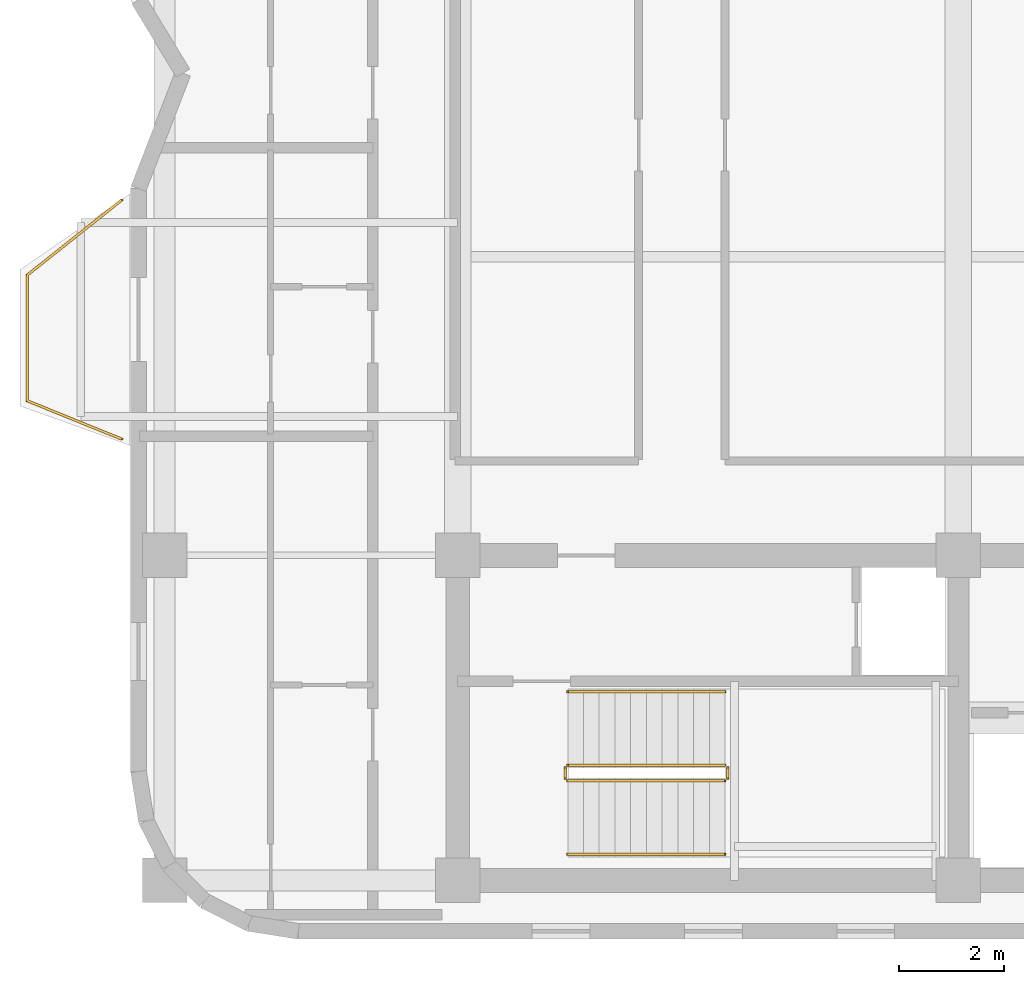
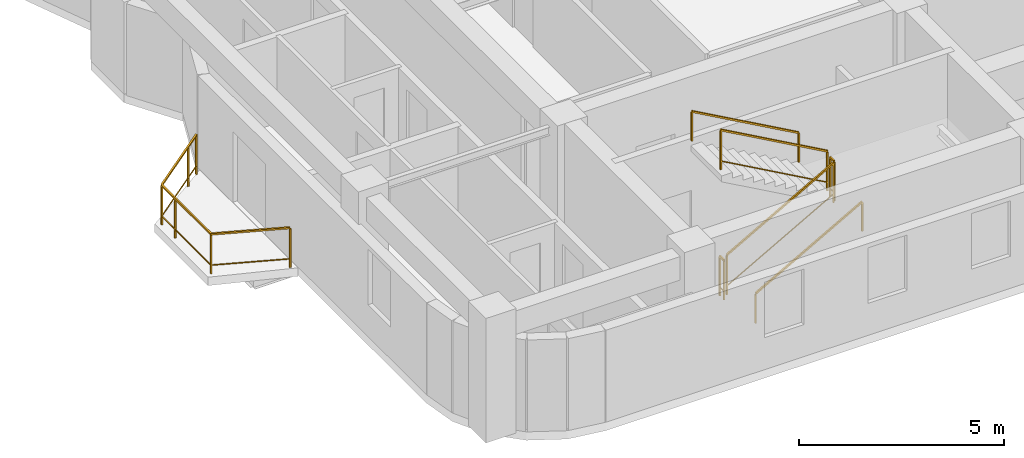
# One storey, part 7 of 8: 7 railings.
"""IFC4 building model written with IfcOpenShell, lengths in metres."""

from ifc_helpers import new_model, si_unit, direction, frame, origin, origin_2d, place, context, subcontext, project, spatial, rectangle, extrude, material, type_object, element, save


model = new_model("IFC4")

# Units and contexts
model_context = context("Model", 3, precision=1e-05, world=origin(), true_north=direction((0.0, 1.0)))
body_context = subcontext(model_context, "Body", "Model", "MODEL_VIEW")
ifc_project = project(units=[si_unit("LENGTHUNIT", "METRE"), si_unit("AREAUNIT", "SQUARE_METRE"), si_unit("VOLUMEUNIT", "CUBIC_METRE"), si_unit("PLANEANGLEUNIT", "RADIAN"), si_unit("MASSUNIT", "GRAM", prefix="KILO")], contexts=[model_context])

# Site, building, storey
site_placement = place(None, origin())
site = spatial("IfcSite", under=ifc_project, at=site_placement, CompositionType="ELEMENT")
building_placement = place(site_placement, origin())
building = spatial("IfcBuilding", under=site, at=building_placement, Name="Svetorya Sky Lyceum", CompositionType="ELEMENT")
storey_placement = place(building_placement, frame((0.0, 0.0, 233.199951171875)))
storey = spatial("IfcBuildingStorey", under=building, at=storey_placement, Name="L58", CompositionType="ELEMENT", Elevation=233.199951171875)

# Railings
ifc_material_1 = material(Name="Laminated safety glass and stainless AISI 316", Category="glass")
railing_type_1 = type_object("IfcRailingType", Name="RL-BAL-1200", PredefinedType="BALUSTRADE", material=ifc_material_1)
railing_1_placement = place(storey_placement, frame((19.18994140625, 19.02001953125, 0.0)))
element("IfcRailing", 1, at=railing_1_placement, inside=storey, type_object=railing_type_1, Name="L58 Balcony Balustrade BAL-W1", PredefinedType="BALUSTRADE", context=body_context, shape_type="SweptSolid", body=[
    extrude(rectangle(XDim=0.048095703125, YDim=0.048095703125, at=origin_2d()), frame((0.0, 0.0, 1.17578125), z_axis=(-0.926697865975, 0.375807218129, 0.0), x_axis=(-0.375807218129, -0.926697865975, 0.0)), (0.0, 0.0, 1.0), 1.9423828125),
    extrude(rectangle(XDim=0.02392578125, YDim=0.02392578125, at=origin_2d()), frame((0.0, 0.0, 0.25), z_axis=(-0.926697865975, 0.375807218129, 0.0), x_axis=(-0.375807218129, -0.926697865975, 0.0)), (0.0, 0.0, 1.0), 1.9423828125),
    extrude(rectangle(XDim=0.048095703125, YDim=0.048095703125, at=origin_2d()), frame((-1.800048828125, 0.72998046875, 1.17578125), z_axis=(0.0, 1.0, 0.0), x_axis=(-1.0, 0.0, 0.0)), (0.0, 0.0, 1.0), 2.39990234375),
    extrude(rectangle(XDim=0.02392578125, YDim=0.02392578125, at=origin_2d()), frame((-1.800048828125, 0.72998046875, 0.25), z_axis=(0.0, 1.0, 0.0), x_axis=(-1.0, 0.0, 0.0)), (0.0, 0.0, 1.0), 2.39990234375),
    extrude(rectangle(XDim=0.048095703125, YDim=0.048095703125, at=origin_2d()), frame((-1.800048828125, 3.1298828125, 1.17578125), z_axis=(0.782957196596, 0.622075580857, 0.0), x_axis=(-0.622075580857, 0.782957196596, 0.0)), (0.0, 0.0, 1.0), 2.299072265625),
    extrude(rectangle(XDim=0.02392578125, YDim=0.02392578125, at=origin_2d()), frame((-1.800048828125, 3.1298828125, 0.25), z_axis=(0.782957196596, 0.622075580857, 0.0), x_axis=(-0.622075580857, 0.782957196596, 0.0)), (0.0, 0.0, 1.0), 2.299072265625),
    extrude(rectangle(XDim=0.0419921875, YDim=0.0419921875, at=origin_2d()), origin(), (0.0, 0.0, 1.0), 1.15185546875),
    extrude(rectangle(XDim=0.0419921875, YDim=0.0419921875, at=origin_2d()), frame((-1.800048828125, 0.72998046875, 0.0)), (0.0, 0.0, 1.0), 1.15185546875),
    extrude(rectangle(XDim=0.0419921875, YDim=0.0419921875, at=origin_2d()), frame((-1.800048828125, 2.47998046875, 0.0)), (0.0, 0.0, 1.0), 1.15185546875),
    extrude(rectangle(XDim=0.0419921875, YDim=0.0419921875, at=origin_2d()), frame((-1.800048828125, 3.1298828125, 0.0)), (0.0, 0.0, 1.0), 1.15185546875),
    extrude(rectangle(XDim=0.0419921875, YDim=0.0419921875, at=origin_2d()), frame((-0.429931640625, 4.218505859375, 0.0)), (0.0, 0.0, 1.0), 1.15185546875),
    extrude(rectangle(XDim=0.0419921875, YDim=0.0419921875, at=origin_2d()), frame((0.0, 4.56005859375, 0.0)), (0.0, 0.0, 1.0), 1.15185546875),
])
ifc_material_2 = material(Name="Painted galvanized stair well guard")
railing_type_2 = type_object("IfcRailingType", Name="RL-STR-GUARD-1200", PredefinedType="GUARDRAIL", material=ifc_material_2)
railing_2_placement = place(storey_placement, frame((27.699951171875, 12.5, 0.168212890625)))
element("IfcRailing", 2, at=railing_2_placement, inside=storey, type_object=railing_type_2, Name="L58 ST-S stair guard 1", PredefinedType="GUARDRAIL", context=body_context, shape_type="SweptSolid", body=[
    extrude(rectangle(XDim=0.048095703125, YDim=0.048095703125, at=origin_2d()), frame((0.0, 0.0, 1.17578125), z_axis=(0.872272294576, 0.0, 0.489020494575), x_axis=(0.0, 1.0, 0.0)), (0.0, 0.0, 1.0), 3.439208984375),
    extrude(rectangle(XDim=0.02392578125, YDim=0.02392578125, at=origin_2d()), frame((0.0, 0.0, 0.25), z_axis=(0.872272294576, 0.0, 0.489020494575), x_axis=(0.0, 1.0, 0.0)), (0.0, 0.0, 1.0), 3.439208984375),
    extrude(rectangle(XDim=0.0419921875, YDim=0.0419921875, at=origin_2d()), origin(), (0.0, 0.0, 1.0), 1.15185546875),
    extrude(rectangle(XDim=0.0419921875, YDim=0.0419921875, at=origin_2d()), frame((3.0, 0.0, 1.681884765625)), (0.0, 0.0, 1.0), 1.15185546875),
])
railing_3_placement = place(storey_placement, frame((30.75, 12.550048828125, 1.85009765625)))
element("IfcRailing", 3, at=railing_3_placement, inside=storey, type_object=railing_type_2, Name="L58 ST-S stair guard 2", PredefinedType="GUARDRAIL", context=body_context, shape_type="SweptSolid", body=[
    extrude(rectangle(XDim=0.048095703125, YDim=0.048095703125, at=origin_2d()), frame((0.0, 0.0, 1.17578125), z_axis=(0.0, 1.0, 0.0), x_axis=(-1.0, 0.0, 0.0)), (0.0, 0.0, 1.0), 0.199951171875),
    extrude(rectangle(XDim=0.02392578125, YDim=0.02392578125, at=origin_2d()), frame((0.0, 0.0, 0.25), z_axis=(0.0, 1.0, 0.0), x_axis=(-1.0, 0.0, 0.0)), (0.0, 0.0, 1.0), 0.199951171875),
    extrude(rectangle(XDim=0.0419921875, YDim=0.0419921875, at=origin_2d()), origin(), (0.0, 0.0, 1.0), 1.15185546875),
    extrude(rectangle(XDim=0.0419921875, YDim=0.0419921875, at=origin_2d()), frame((0.0, 0.199951171875, 0.0)), (0.0, 0.0, 1.0), 1.15185546875),
])
railing_4_placement = place(storey_placement, frame((30.699951171875, 12.800048828125, 2.018310546875)))
element("IfcRailing", 4, at=railing_4_placement, inside=storey, type_object=railing_type_2, Name="L58 ST-S stair guard 3", PredefinedType="GUARDRAIL", context=body_context, shape_type="SweptSolid", body=[
    extrude(rectangle(XDim=0.048095703125, YDim=0.048095703125, at=origin_2d()), frame((0.0, 0.0, 1.17578125), z_axis=(-0.872302573547, 0.0, 0.488966481656), x_axis=(0.0, -1.0, 0.0)), (0.0, 0.0, 1.0), 3.439208984375),
    extrude(rectangle(XDim=0.02392578125, YDim=0.02392578125, at=origin_2d()), frame((0.0, 0.0, 0.25), z_axis=(-0.872302573547, 0.0, 0.488966481656), x_axis=(0.0, -1.0, 0.0)), (0.0, 0.0, 1.0), 3.439208984375),
    extrude(rectangle(XDim=0.0419921875, YDim=0.0419921875, at=origin_2d()), origin(), (0.0, 0.0, 1.0), 1.15185546875),
    extrude(rectangle(XDim=0.0419921875, YDim=0.0419921875, at=origin_2d()), frame((-3.0, 0.0, 1.681640625)), (0.0, 0.0, 1.0), 1.15185546875),
])
railing_5_placement = place(storey_placement, frame((27.64990234375, 12.550048828125, 0.0)))
element("IfcRailing", 5, at=railing_5_placement, inside=storey, type_object=railing_type_2, Name="L58 ST-S stair guard 4", PredefinedType="GUARDRAIL", context=body_context, shape_type="SweptSolid", body=[
    extrude(rectangle(XDim=0.048095703125, YDim=0.048095703125, at=origin_2d()), frame((0.0, 0.0, 1.17578125), z_axis=(0.0, 1.0, 0.0), x_axis=(-1.0, 0.0, 0.0)), (0.0, 0.0, 1.0), 0.199951171875),
    extrude(rectangle(XDim=0.02392578125, YDim=0.02392578125, at=origin_2d()), frame((0.0, 0.0, 0.25), z_axis=(0.0, 1.0, 0.0), x_axis=(-1.0, 0.0, 0.0)), (0.0, 0.0, 1.0), 0.199951171875),
    extrude(rectangle(XDim=0.0419921875, YDim=0.0419921875, at=origin_2d()), origin(), (0.0, 0.0, 1.0), 1.15185546875),
    extrude(rectangle(XDim=0.0419921875, YDim=0.0419921875, at=origin_2d()), frame((0.0, 0.199951171875, 0.0)), (0.0, 0.0, 1.0), 1.15185546875),
])
ifc_material_3 = material(Name="Brushed stainless AISI 304 stair handrail")
railing_type_3 = type_object("IfcRailingType", Name="RL-STR-HAND-920", PredefinedType="HANDRAIL", material=ifc_material_3)
railing_6_placement = place(storey_placement, frame((27.699951171875, 11.10009765625, 0.168212890625)))
element("IfcRailing", 6, at=railing_6_placement, inside=storey, type_object=railing_type_3, Name="L58 ST-S stair handrail 1", PredefinedType="HANDRAIL", context=body_context, shape_type="SweptSolid", body=[
    extrude(rectangle(XDim=0.048095703125, YDim=0.048095703125, at=origin_2d()), frame((0.0, 0.0, 0.8759765625), z_axis=(0.872272294576, 0.0, 0.489020494575), x_axis=(0.0, 1.0, 0.0)), (0.0, 0.0, 1.0), 3.439208984375),
    extrude(rectangle(XDim=0.0419921875, YDim=0.0419921875, at=origin_2d()), origin(), (0.0, 0.0, 1.0), 0.851806640625),
    extrude(rectangle(XDim=0.0419921875, YDim=0.0419921875, at=origin_2d()), frame((3.0, 0.0, 1.681884765625)), (0.0, 0.0, 1.0), 0.851806640625),
])
railing_7_placement = place(storey_placement, frame((30.699951171875, 14.199951171875, 2.018310546875)))
element("IfcRailing", 7, at=railing_7_placement, inside=storey, type_object=railing_type_3, Name="L58 ST-S stair handrail 2", PredefinedType="HANDRAIL", context=body_context, shape_type="SweptSolid", body=[
    extrude(rectangle(XDim=0.048095703125, YDim=0.048095703125, at=origin_2d()), frame((0.0, 0.0, 0.8759765625), z_axis=(-0.872302573547, 0.0, 0.488966481656), x_axis=(0.0, -1.0, 0.0)), (0.0, 0.0, 1.0), 3.439208984375),
    extrude(rectangle(XDim=0.0419921875, YDim=0.0419921875, at=origin_2d()), origin(), (0.0, 0.0, 1.0), 0.851806640625),
    extrude(rectangle(XDim=0.0419921875, YDim=0.0419921875, at=origin_2d()), frame((-3.0, 0.0, 1.681640625)), (0.0, 0.0, 1.0), 0.851806640625),
])

save(model, "model.ifc")
